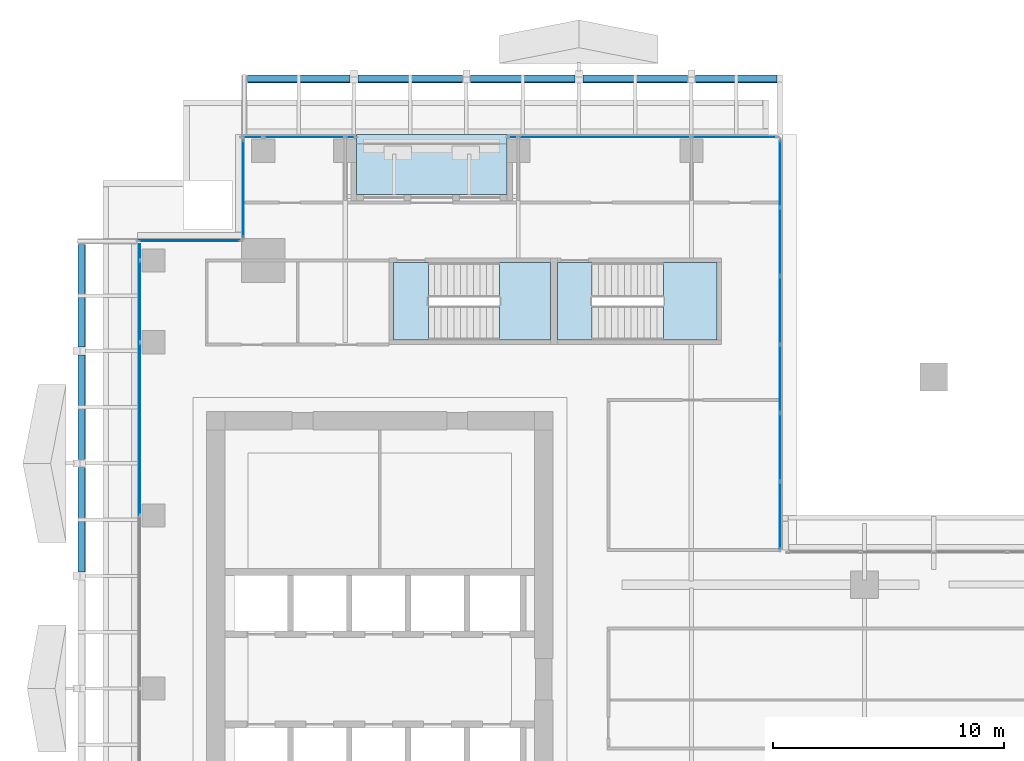
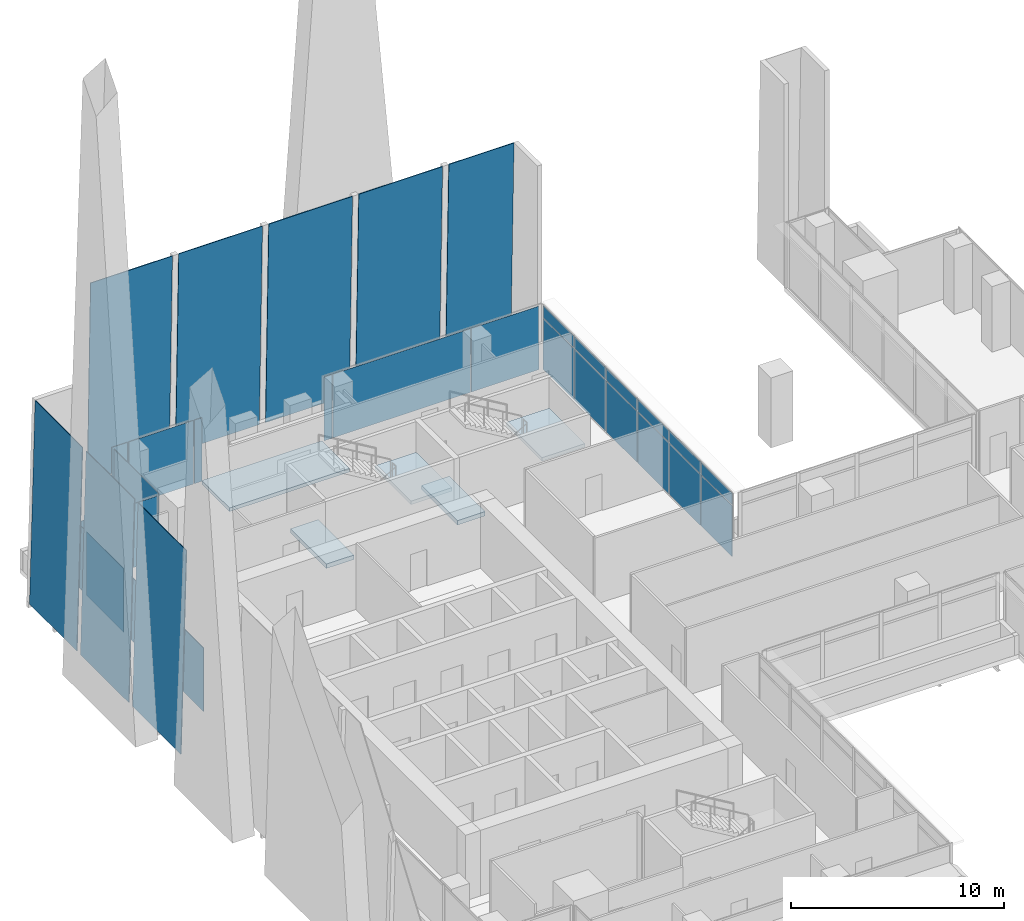
# One storey, part 32 of 43: 31 plates, 5 slabs, 8 elements without a shape of their own.
"""IFC4 building model written with IfcOpenShell, lengths in metres."""

from ifc_helpers import new_model, si_unit, direction, frame, origin, origin_2d, place, context, subcontext, project, spatial, polyline, rectangle, outline, extrude, source, transform, mapped, material, layer, layer_set, type_object, element, aggregate, save


model = new_model("IFC4")

# Units and contexts
model_context = context("Model", 3, precision=1e-05, world=origin(), true_north=direction((0.0, 1.0)))
body_context = subcontext(model_context, "Body", "Model", "MODEL_VIEW")
ifc_project = project(units=[si_unit("LENGTHUNIT", "METRE"), si_unit("AREAUNIT", "SQUARE_METRE"), si_unit("VOLUMEUNIT", "CUBIC_METRE"), si_unit("PLANEANGLEUNIT", "RADIAN"), si_unit("MASSUNIT", "GRAM", prefix="KILO")], contexts=[model_context])

# Site, building, storey
site_placement = place(None, origin())
site = spatial("IfcSite", under=ifc_project, at=site_placement, CompositionType="ELEMENT")
building_placement = place(site_placement, origin())
building = spatial("IfcBuilding", under=site, at=building_placement, Name="Khomas Fold Tower", CompositionType="ELEMENT")
storey_placement = place(building_placement, frame((0.0, 0.0, 164.699951171875)))
storey = spatial("IfcBuildingStorey", under=building, at=storey_placement, Name="L35", CompositionType="ELEMENT", Elevation=164.699951171875)

# Plates
ifc_material_1 = material(Name="Clear laminated glass", Category="glass")
ifc_layer_1 = layer(ifc_material_1, 0.0400390625)
ifc_layer_set_1 = layer_set([ifc_layer_1], Name="Clear laminated glass")
plate_type_1 = type_object("IfcPlateType", Name="SK-Clear laminated glass leaf", PredefinedType="SHEET", material=ifc_layer_set_1)
plate_1_placement = place(storey_placement, frame((7.77001953125, 53.5849609375, 0.0009765625), z_axis=(0.0, 0.999657230839, 0.026180543005), x_axis=(1.0, 0.0, 0.0)))
element("IfcPlate", 1, at=plate_1_placement, inside=storey, type_object=plate_type_1, Name="OUTER SKIN glass L35 N1", PredefinedType="SHEET", context=body_context, shape_type="SweptSolid", body=[
    extrude(outline(polyline([(0.0, 0.0), (4.43505859375, 0.0), (4.43505859375, -11.554009186164079), (0.0, -11.554009186164079), (0.0, 0.0)])), origin(), (0.0, 0.0, -1.0), 0.0400390625),
])
for number, where, z_axis, x_axis, name in (
    (2, (12.544921875, 53.5849609375, 0.0009765625), (0.0, 0.999657230839, 0.026180543005), (1.0, 0.0, 0.0), "OUTER SKIN glass L35 N3"),
    (3, (17.419921875, 53.5849609375, 0.0009765625), (0.0, 0.999657230839, 0.026180543005), (1.0, 0.0, 0.0), "OUTER SKIN glass L35 N5"),
    (4, (22.294921875, 53.5849609375, 0.0009765625), (0.0, 0.999657230839, 0.026180543005), (1.0, 0.0, 0.0), "OUTER SKIN glass L35 N7"),
):
    element("IfcPlate", number, at=place(storey_placement, frame(where, z_axis=z_axis, x_axis=x_axis)), inside=storey, type_object=plate_type_1, Name=name, PredefinedType="SHEET", context=body_context, shape_type="SweptSolid", body=[
        extrude(outline(polyline([(0.0, 0.0), (4.53515625, 0.0), (4.53515625, -11.554009186164079), (0.0, -11.554009186164079), (0.0, 0.0)])), origin(), (0.0, 0.0, -1.0), 0.0400390625),
    ])
plate_2_placement = place(storey_placement, frame((27.169921875, 53.5849609375, 0.0009765625), z_axis=(0.0, 0.999657230839, 0.026180543005), x_axis=(1.0, 0.0, 0.0)))
element("IfcPlate", 5, at=plate_2_placement, inside=storey, type_object=plate_type_1, Name="OUTER SKIN glass L35 N9", PredefinedType="SHEET", context=body_context, shape_type="SweptSolid", body=[
    extrude(outline(polyline([(0.0, 0.0), (3.530029296875, 0.0), (3.530029296875, -11.554009186164079), (0.0, -11.554009186164079), (0.0, 0.0)])), origin(), (0.0, 0.0, -1.0), 0.0400390625),
])
for number, where, z_axis, x_axis, name in (
    (6, (0.4150390625, 32.044921875, 0.0009765625), (-0.999657230839, 0.0, 0.026180543005), (0.0, 1.0, 0.0), "OUTER SKIN glass L35 W11"),
    (7, (0.4150390625, 36.919921875, 0.0009765625), (-0.999657230839, 0.0, 0.026180543005), (0.0, 1.0, 0.0), "OUTER SKIN glass L35 W13"),
):
    element("IfcPlate", number, at=place(storey_placement, frame(where, z_axis=z_axis, x_axis=x_axis)), inside=storey, type_object=plate_type_1, Name=name, PredefinedType="SHEET", context=body_context, shape_type="SweptSolid", body=[
        extrude(outline(polyline([(0.0, 0.0), (4.53515625, 0.0), (4.53515625, -11.554009186164079), (0.0, -11.554009186164079), (0.0, 0.0)])), origin(), (0.0, 0.0, -1.0), 0.0400390625),
    ])
plate_3_placement = place(storey_placement, frame((0.4150390625, 41.794921875, 0.0009765625), z_axis=(-0.999657230839, 0.0, 0.026180543005), x_axis=(0.0, 1.0, 0.0)))
element("IfcPlate", 8, at=plate_3_placement, inside=storey, type_object=plate_type_1, Name="OUTER SKIN glass L35 W15", PredefinedType="SHEET", context=body_context, shape_type="SweptSolid", body=[
    extrude(outline(polyline([(0.0, 0.0), (4.43505859375, 0.0), (4.43505859375, -11.554009186164079), (0.0, -11.554009186164079), (0.0, 0.0)])), origin(), (0.0, 0.0, -1.0), 0.0400390625),
])

# Curtain wall, plate
ifc_material_2 = material(Name="Aluminium framed double glazing", Category="aluminium")
curtain_wall_type_1 = type_object("IfcCurtainWallType", Name="SK-Unitised clear-glass wall, office floors CW2", PredefinedType="NOTDEFINED", material=ifc_material_2)
curtain_wall_1_placement = place(storey_placement, origin())
curtain_wall_1 = element("IfcCurtainWall", 9, at=curtain_wall_1_placement, inside=storey, type_object=curtain_wall_type_1, Name="CW2 corner return L35 17", PredefinedType="NOTDEFINED")
ifc_material_3 = material(Name="Clear double glazed unit")
ifc_layer_2 = layer(ifc_material_3, 0.030029296875)
ifc_layer_set_2 = layer_set([ifc_layer_2], Name="Clear double glazed unit")
plate_type_2 = type_object("IfcPlateType", Name="SK-Unitised clear-glass wall, office floors glass panel CW2-P", PredefinedType="CURTAIN_PANEL", material=ifc_layer_set_2)
shared_shape_1 = source(origin(), body_context, "Body", "SweptSolid", [
    extrude(rectangle(XDim=4.3798828125, YDim=0.030029296875, at=origin_2d()), origin(), (0.0, 0.0, 1.0), 3.639892578125),
])
plate_4_placement = place(storey_placement, frame((5.25, 46.39990234375, 0.0), z_axis=(0.0, 0.0, 1.0), x_axis=(-1.0, 0.0, 0.0)))
plate_4 = element("IfcPlate", 10, at=plate_4_placement, type_object=plate_type_2, Name="CW2 glass panel 1", PredefinedType="CURTAIN_PANEL", context=body_context, shape_type="MappedRepresentation", body=[
    mapped(shared_shape_1, transform((0.0, 0.0, 0.0))),
])
aggregate(curtain_wall_1, [plate_4])

curtain_wall_2_placement = place(storey_placement, origin())
curtain_wall_2 = element("IfcCurtainWall", 11, at=curtain_wall_2_placement, inside=storey, type_object=curtain_wall_type_1, Name="CW2 run L35 18-0", PredefinedType="NOTDEFINED")
shared_shape_2 = source(origin(), body_context, "Body", "SweptSolid", [
    extrude(rectangle(XDim=0.659912109375, YDim=0.030029296875, at=origin_2d()), origin(), (0.0, 0.0, 1.0), 3.639892578125),
])
plate_5_placement = place(storey_placement, frame((3.10009765625, 45.909912109375, 0.0), z_axis=(0.0, 0.0, 1.0), x_axis=(0.0, -1.0, 0.0)))
plate_5 = element("IfcPlate", 12, at=plate_5_placement, type_object=plate_type_2, Name="CW2 glass panel 1", PredefinedType="CURTAIN_PANEL", context=body_context, shape_type="MappedRepresentation", body=[
    mapped(shared_shape_2, transform((0.0, 0.0, 0.0))),
])

curtain_wall_3_placement = place(storey_placement, origin())
curtain_wall_3 = element("IfcCurtainWall", 13, at=curtain_wall_3_placement, inside=storey, type_object=curtain_wall_type_1, Name="CW2 run L35 15-1", PredefinedType="NOTDEFINED")
shared_shape_3 = source(origin(), body_context, "Body", "SweptSolid", [
    extrude(rectangle(XDim=3.489990234375, YDim=0.030029296875, at=origin_2d()), origin(), (0.0, 0.0, 1.0), 3.639892578125),
])
plate_6_placement = place(storey_placement, frame((10.22509765625, 50.89990234375, 0.0), z_axis=(0.0, 0.0, 1.0), x_axis=(-1.0, 0.0, 0.0)))
plate_6 = element("IfcPlate", 14, at=plate_6_placement, type_object=plate_type_2, Name="CW2 glass panel 2", PredefinedType="CURTAIN_PANEL", context=body_context, shape_type="MappedRepresentation", body=[
    mapped(shared_shape_3, transform((0.0, 0.0, 0.0))),
])

# Plate
plate_7_placement = place(storey_placement, frame((3.10009765625, 43.77490234375, 0.0), z_axis=(0.0, 0.0, 1.0), x_axis=(0.0, -1.0, 0.0)))
plate_7 = element("IfcPlate", 15, at=plate_7_placement, type_object=plate_type_2, Name="CW2 glass panel 2", PredefinedType="CURTAIN_PANEL", context=body_context, shape_type="MappedRepresentation", body=[
    mapped(shared_shape_3, transform((0.0, 0.0, 0.0))),
])

# Curtain wall, plate
curtain_wall_4_placement = place(storey_placement, origin())
curtain_wall_4 = element("IfcCurtainWall", 16, at=curtain_wall_4_placement, inside=storey, type_object=curtain_wall_type_1, Name="CW2 run L35 15-0", PredefinedType="NOTDEFINED")
shared_shape_4 = source(origin(), body_context, "Body", "SweptSolid", [
    extrude(rectangle(XDim=7.43994140625, YDim=0.030029296875, at=origin_2d()), origin(), (0.0, 0.0, 1.0), 3.639892578125),
])
plate_8_placement = place(storey_placement, frame((23.25, 50.89990234375, 0.0), z_axis=(0.0, 0.0, 1.0), x_axis=(-1.0, 0.0, 0.0)))
plate_8 = element("IfcPlate", 17, at=plate_8_placement, type_object=plate_type_2, Name="CW2 glass panel 2", PredefinedType="CURTAIN_PANEL", context=body_context, shape_type="MappedRepresentation", body=[
    mapped(shared_shape_4, transform((0.0, 0.0, 0.0))),
])

# Plate
plate_9_placement = place(storey_placement, frame((3.10009765625, 38.25, 0.0), z_axis=(0.0, 0.0, 1.0), x_axis=(0.0, -1.0, 0.0)))
plate_9 = element("IfcPlate", 18, at=plate_9_placement, type_object=plate_type_2, Name="CW2 glass panel 3", PredefinedType="CURTAIN_PANEL", context=body_context, shape_type="MappedRepresentation", body=[
    mapped(shared_shape_4, transform((0.0, 0.0, 0.0))),
])

aggregate(curtain_wall_2, [plate_5, plate_7, plate_9])

# Curtain wall, plate
curtain_wall_5_placement = place(storey_placement, origin())
curtain_wall_5 = element("IfcCurtainWall", 19, at=curtain_wall_5_placement, inside=storey, type_object=curtain_wall_type_1, Name="CW2 corner return L35 16", PredefinedType="NOTDEFINED")
shared_shape_5 = source(origin(), body_context, "Body", "SweptSolid", [
    extrude(rectangle(XDim=4.179931640625, YDim=0.030029296875, at=origin_2d()), origin(), (0.0, 0.0, 1.0), 3.639892578125),
])
plate_10_placement = place(storey_placement, frame((7.60009765625, 48.64990234375, 0.0), z_axis=(0.0, 0.0, 1.0), x_axis=(0.0, -1.0, 0.0)))
plate_10 = element("IfcPlate", 20, at=plate_10_placement, type_object=plate_type_2, Name="CW2 glass panel 1", PredefinedType="CURTAIN_PANEL", context=body_context, shape_type="MappedRepresentation", body=[
    mapped(shared_shape_5, transform((0.0, 0.0, 0.0))),
])
aggregate(curtain_wall_5, [plate_10])

# Plate
shared_shape_6 = source(origin(), body_context, "Body", "SweptSolid", [
    extrude(rectangle(XDim=0.409912109375, YDim=0.030029296875, at=origin_2d()), origin(), (0.0, 0.0, 1.0), 3.639892578125),
])
plate_11_placement = place(storey_placement, frame((19.264892578125, 50.89990234375, 0.0), z_axis=(0.0, 0.0, 1.0), x_axis=(-1.0, 0.0, 0.0)))
plate_11 = element("IfcPlate", 21, at=plate_11_placement, type_object=plate_type_2, Name="CW2 glass panel 3", PredefinedType="CURTAIN_PANEL", context=body_context, shape_type="MappedRepresentation", body=[
    mapped(shared_shape_6, transform((0.0, 0.0, 0.0))),
])

plate_12_placement = place(storey_placement, frame((12.235107421875, 50.89990234375, 0.0), z_axis=(0.0, 0.0, 1.0), x_axis=(-1.0, 0.0, 0.0)))
plate_12 = element("IfcPlate", 22, at=plate_12_placement, type_object=plate_type_2, Name="CW2 glass panel 1", PredefinedType="CURTAIN_PANEL", context=body_context, shape_type="MappedRepresentation", body=[
    mapped(shared_shape_6, transform((0.0, 0.0, 0.0))),
])

shared_shape_7 = source(origin(), body_context, "Body", "SweptSolid", [
    extrude(rectangle(XDim=0.860107421875, YDim=0.030029296875, at=origin_2d()), origin(), (0.0, 0.0, 1.0), 3.639892578125),
])
plate_13_placement = place(storey_placement, frame((7.989990234375, 50.89990234375, 0.0), z_axis=(0.0, 0.0, 1.0), x_axis=(-1.0, 0.0, 0.0)))
plate_13 = element("IfcPlate", 23, at=plate_13_placement, type_object=plate_type_2, Name="CW2 glass panel 3", PredefinedType="CURTAIN_PANEL", context=body_context, shape_type="MappedRepresentation", body=[
    mapped(shared_shape_7, transform((0.0, 0.0, 0.0))),
])

aggregate(curtain_wall_3, [plate_12, plate_6, plate_13])

shared_shape_8 = source(origin(), body_context, "Body", "SweptSolid", [
    extrude(rectangle(XDim=3.659912109375, YDim=0.030029296875, at=origin_2d()), origin(), (0.0, 0.0, 1.0), 3.639892578125),
])
plate_14_placement = place(storey_placement, frame((28.860107421875, 50.89990234375, 0.0), z_axis=(0.0, 0.0, 1.0), x_axis=(-1.0, 0.0, 0.0)))
plate_14 = element("IfcPlate", 24, at=plate_14_placement, type_object=plate_type_2, Name="CW2 glass panel 1", PredefinedType="CURTAIN_PANEL", context=body_context, shape_type="MappedRepresentation", body=[
    mapped(shared_shape_8, transform((0.0, 0.0, 0.0))),
])

aggregate(curtain_wall_4, [plate_14, plate_8, plate_11])

# Slab
ifc_material_4 = material(Name="Concrete C40/50", Category="concrete")
ifc_layer_3 = layer(ifc_material_4, 0.205078125)
ifc_layer_set_3 = layer_set([ifc_layer_3], Name="Concrete C40/50")
slab_type_1 = type_object("IfcSlabType", Name="BL-Balcony deck 205", PredefinedType="FLOOR", material=ifc_layer_set_3)
shared_shape_9 = source(origin(), body_context, "Body", "SweptSolid", [
    extrude(outline(polyline([(12.5, 48.39990234375), (19.0, 48.39990234375), (19.0, 51.0), (12.5, 51.0), (12.5, 48.39990234375)])), origin(), (0.0, 0.0, 1.0), 0.205078125),
])
slab_1_placement = place(storey_placement, frame((0.0, 0.0, -0.25)))
element("IfcSlab", 25, at=slab_1_placement, inside=storey, type_object=slab_type_1, Name="Balcony deck BAL-L35-N1", PredefinedType="FLOOR", context=body_context, shape_type="MappedRepresentation", body=[
    mapped(shared_shape_9, transform((0.0, 0.0, 0.0))),
])

# Curtain wall, plates
ifc_material_5 = material(Name="Aluminium framed double glazing", Category="aluminium")
curtain_wall_type_2 = type_object("IfcCurtainWallType", Name="Notch glazing GN-CW", PredefinedType="NOTDEFINED", material=ifc_material_5)
curtain_wall_6_placement = place(storey_placement, origin())
curtain_wall_6 = element("IfcCurtainWall", 26, at=curtain_wall_6_placement, inside=storey, type_object=curtain_wall_type_2, Name="Notch glazing run", PredefinedType="NOTDEFINED")
ifc_material_6 = material(Name="Double glazed unit")
ifc_layer_4 = layer(ifc_material_6, 0.031982421875)
ifc_layer_set_4 = layer_set([ifc_layer_4], Name="Double glazed unit")
plate_type_3 = type_object("IfcPlateType", Name="Notch glazing panel GN-CW-P", PredefinedType="CURTAIN_PANEL", material=ifc_layer_set_4)
shared_shape_10 = source(origin(), body_context, "Body", "SweptSolid", [
    extrude(rectangle(XDim=2.876708984375, YDim=0.031982421875, at=origin_2d()), origin(), (0.0, 0.0, 1.0), 2.909912109375),
])
plate_15_placement = place(storey_placement, frame((30.85009765625, 34.498291015625, 0.06005859375), z_axis=(0.0, 0.0, 1.0), x_axis=(0.0, 1.0, 0.0)))
plate_15 = element("IfcPlate", 27, at=plate_15_placement, type_object=plate_type_3, Name="GN-CW panel 1.1", PredefinedType="CURTAIN_PANEL", context=body_context, shape_type="MappedRepresentation", body=[
    mapped(shared_shape_10, transform((0.0, 0.0, 0.0))),
])
plate_16_placement = place(storey_placement, frame((30.85009765625, 49.3017578125, 0.06005859375), z_axis=(0.0, 0.0, 1.0), x_axis=(0.0, 1.0, 0.0)))
plate_16 = element("IfcPlate", 28, at=plate_16_placement, type_object=plate_type_3, Name="GN-CW panel 6.1", PredefinedType="CURTAIN_PANEL", context=body_context, shape_type="MappedRepresentation", body=[
    mapped(shared_shape_10, transform((0.0, 0.0, 0.0))),
])
shared_shape_11 = source(origin(), body_context, "Body", "SweptSolid", [
    extrude(rectangle(XDim=2.90673828125, YDim=0.031982421875, at=origin_2d()), origin(), (0.0, 0.0, 1.0), 2.909912109375),
])
plate_17_placement = place(storey_placement, frame((30.85009765625, 37.449951171875, 0.06005859375), z_axis=(0.0, 0.0, 1.0), x_axis=(0.0, 1.0, 0.0)))
plate_17 = element("IfcPlate", 29, at=plate_17_placement, type_object=plate_type_3, Name="GN-CW panel 2.1", PredefinedType="CURTAIN_PANEL", context=body_context, shape_type="MappedRepresentation", body=[
    mapped(shared_shape_11, transform((0.0, 0.0, 0.0))),
])
plate_18_placement = place(storey_placement, frame((30.85009765625, 40.416748046875, 0.06005859375), z_axis=(0.0, 0.0, 1.0), x_axis=(0.0, 1.0, 0.0)))
plate_18 = element("IfcPlate", 30, at=plate_18_placement, type_object=plate_type_3, Name="GN-CW panel 3.1", PredefinedType="CURTAIN_PANEL", context=body_context, shape_type="MappedRepresentation", body=[
    mapped(shared_shape_11, transform((0.0, 0.0, 0.0))),
])
plate_19_placement = place(storey_placement, frame((30.85009765625, 43.38330078125, 0.06005859375), z_axis=(0.0, 0.0, 1.0), x_axis=(0.0, 1.0, 0.0)))
plate_19 = element("IfcPlate", 31, at=plate_19_placement, type_object=plate_type_3, Name="GN-CW panel 4.1", PredefinedType="CURTAIN_PANEL", context=body_context, shape_type="MappedRepresentation", body=[
    mapped(shared_shape_11, transform((0.0, 0.0, 0.0))),
])
plate_20_placement = place(storey_placement, frame((30.85009765625, 46.35009765625, 0.06005859375), z_axis=(0.0, 0.0, 1.0), x_axis=(0.0, 1.0, 0.0)))
plate_20 = element("IfcPlate", 32, at=plate_20_placement, type_object=plate_type_3, Name="GN-CW panel 5.1", PredefinedType="CURTAIN_PANEL", context=body_context, shape_type="MappedRepresentation", body=[
    mapped(shared_shape_11, transform((0.0, 0.0, 0.0))),
])
shared_shape_12 = source(origin(), body_context, "Body", "SweptSolid", [
    extrude(rectangle(XDim=2.876708984375, YDim=0.031982421875, at=origin_2d()), origin(), (0.0, 0.0, 1.0), 0.659912109375),
])
plate_21_placement = place(storey_placement, frame((30.85009765625, 34.498291015625, 3.0302734375), z_axis=(0.0, 0.0, 1.0), x_axis=(0.0, 1.0, 0.0)))
plate_21 = element("IfcPlate", 33, at=plate_21_placement, type_object=plate_type_3, Name="GN-CW panel 1.2", PredefinedType="CURTAIN_PANEL", context=body_context, shape_type="MappedRepresentation", body=[
    mapped(shared_shape_12, transform((0.0, 0.0, 0.0))),
])
plate_22_placement = place(storey_placement, frame((30.85009765625, 49.3017578125, 3.0302734375), z_axis=(0.0, 0.0, 1.0), x_axis=(0.0, 1.0, 0.0)))
plate_22 = element("IfcPlate", 34, at=plate_22_placement, type_object=plate_type_3, Name="GN-CW panel 6.2", PredefinedType="CURTAIN_PANEL", context=body_context, shape_type="MappedRepresentation", body=[
    mapped(shared_shape_12, transform((0.0, 0.0, 0.0))),
])
shared_shape_13 = source(origin(), body_context, "Body", "SweptSolid", [
    extrude(rectangle(XDim=2.90673828125, YDim=0.031982421875, at=origin_2d()), origin(), (0.0, 0.0, 1.0), 0.659912109375),
])
plate_23_placement = place(storey_placement, frame((30.85009765625, 37.449951171875, 3.0302734375), z_axis=(0.0, 0.0, 1.0), x_axis=(0.0, 1.0, 0.0)))
plate_23 = element("IfcPlate", 35, at=plate_23_placement, type_object=plate_type_3, Name="GN-CW panel 2.2", PredefinedType="CURTAIN_PANEL", context=body_context, shape_type="MappedRepresentation", body=[
    mapped(shared_shape_13, transform((0.0, 0.0, 0.0))),
])
plate_24_placement = place(storey_placement, frame((30.85009765625, 40.416748046875, 3.0302734375), z_axis=(0.0, 0.0, 1.0), x_axis=(0.0, 1.0, 0.0)))
plate_24 = element("IfcPlate", 36, at=plate_24_placement, type_object=plate_type_3, Name="GN-CW panel 3.2", PredefinedType="CURTAIN_PANEL", context=body_context, shape_type="MappedRepresentation", body=[
    mapped(shared_shape_13, transform((0.0, 0.0, 0.0))),
])
plate_25_placement = place(storey_placement, frame((30.85009765625, 43.38330078125, 3.0302734375), z_axis=(0.0, 0.0, 1.0), x_axis=(0.0, 1.0, 0.0)))
plate_25 = element("IfcPlate", 37, at=plate_25_placement, type_object=plate_type_3, Name="GN-CW panel 4.2", PredefinedType="CURTAIN_PANEL", context=body_context, shape_type="MappedRepresentation", body=[
    mapped(shared_shape_13, transform((0.0, 0.0, 0.0))),
])
plate_26_placement = place(storey_placement, frame((30.85009765625, 46.35009765625, 3.0302734375), z_axis=(0.0, 0.0, 1.0), x_axis=(0.0, 1.0, 0.0)))
plate_26 = element("IfcPlate", 38, at=plate_26_placement, type_object=plate_type_3, Name="GN-CW panel 5.2", PredefinedType="CURTAIN_PANEL", context=body_context, shape_type="MappedRepresentation", body=[
    mapped(shared_shape_13, transform((0.0, 0.0, 0.0))),
])
aggregate(curtain_wall_6, [plate_15, plate_21, plate_17, plate_23, plate_18, plate_24, plate_19, plate_25, plate_20, plate_26, plate_16, plate_22])

# Stair, slab
ifc_material_7 = material(Name="Concrete C40/50", Category="concrete")
stair_type_1 = type_object("IfcStairType", Name="Stair ST1", PredefinedType="HALF_TURN_STAIR", material=ifc_material_7)
stair_1_placement = place(storey_placement, origin())
stair_1 = element("IfcStair", 39, at=stair_1_placement, inside=storey, type_object=stair_type_1, Name="L35 ST1", PredefinedType="HALF_TURN_STAIR")
ifc_material_8 = material(Name="Concrete C40/50", Category="concrete")
ifc_layer_5 = layer(ifc_material_8, 0.199951171875)
ifc_layer_set_5 = layer_set([ifc_layer_5], Name="Concrete C40/50")
slab_type_2 = type_object("IfcSlabType", Name="Stair landing 200", PredefinedType="LANDING", material=ifc_layer_set_5)
shared_shape_14 = source(origin(), body_context, "Body", "SweptSolid", [
    extrude(outline(polyline([(18.679931640625, 42.10009765625), (20.89990234375, 42.10009765625), (20.89990234375, 45.449951171875), (18.679931640625, 45.449951171875), (18.679931640625, 42.10009765625)])), origin(), (0.0, 0.0, 1.0), 0.199951171875),
])
slab_2_placement = place(storey_placement, frame((0.0, 0.0, 1.800048828125)))
slab_2 = element("IfcSlab", 40, at=slab_2_placement, type_object=slab_type_2, Name="ST1 landing 1", PredefinedType="LANDING", context=body_context, shape_type="MappedRepresentation", body=[
    mapped(shared_shape_14, transform((0.0, 0.0, 0.0))),
])
aggregate(stair_1, [slab_2])

# Slab
ifc_material_9 = material(Name="Concrete C40/50", Category="concrete")
ifc_layer_6 = layer(ifc_material_9, 0.25)
ifc_layer_set_6 = layer_set([ifc_layer_6], Name="Concrete C40/50")
slab_type_3 = type_object("IfcSlabType", Name="Stair floor landing 250", PredefinedType="LANDING", material=ifc_layer_set_6)
shared_shape_15 = source(origin(), body_context, "Body", "SweptSolid", [
    extrude(outline(polyline([(14.10009765625, 45.449951171875), (15.60009765625, 45.449951171875), (15.60009765625, 42.10009765625), (14.10009765625, 42.10009765625), (14.10009765625, 45.449951171875)])), origin(), (0.0, 0.0, 1.0), 0.25),
])
slab_3_placement = place(storey_placement, frame((0.0, 0.0, -0.25)))
element("IfcSlab", 41, at=slab_3_placement, inside=storey, type_object=slab_type_3, Name="ST1 floor landing", PredefinedType="LANDING", context=body_context, shape_type="MappedRepresentation", body=[
    mapped(shared_shape_15, transform((0.0, 0.0, 0.0))),
])

# Stair, slab
ifc_material_10 = material(Name="Concrete C40/50", Category="concrete")
stair_type_2 = type_object("IfcStairType", Name="Stair ST3", PredefinedType="HALF_TURN_STAIR", material=ifc_material_10)
stair_2_placement = place(storey_placement, origin())
stair_2 = element("IfcStair", 42, at=stair_2_placement, inside=storey, type_object=stair_type_2, Name="L35 ST3", PredefinedType="HALF_TURN_STAIR")
shared_shape_16 = source(origin(), body_context, "Body", "SweptSolid", [
    extrude(outline(polyline([(25.780029296875, 42.10009765625), (28.10009765625, 42.10009765625), (28.10009765625, 45.449951171875), (25.780029296875, 45.449951171875), (25.780029296875, 42.10009765625)])), origin(), (0.0, 0.0, 1.0), 0.199951171875),
])
slab_4_placement = place(storey_placement, frame((0.0, 0.0, 1.800048828125)))
slab_4 = element("IfcSlab", 43, at=slab_4_placement, type_object=slab_type_2, Name="ST3 landing 1", PredefinedType="LANDING", context=body_context, shape_type="MappedRepresentation", body=[
    mapped(shared_shape_16, transform((0.0, 0.0, 0.0))),
])
aggregate(stair_2, [slab_4])

# Slab
shared_shape_17 = source(origin(), body_context, "Body", "SweptSolid", [
    extrude(outline(polyline([(21.199951171875, 45.449951171875), (22.699951171875, 45.449951171875), (22.699951171875, 42.10009765625), (21.199951171875, 42.10009765625), (21.199951171875, 45.449951171875)])), origin(), (0.0, 0.0, 1.0), 0.25),
])
slab_5_placement = place(storey_placement, frame((0.0, 0.0, -0.25)))
element("IfcSlab", 44, at=slab_5_placement, inside=storey, type_object=slab_type_3, Name="ST3 floor landing", PredefinedType="LANDING", context=body_context, shape_type="MappedRepresentation", body=[
    mapped(shared_shape_17, transform((0.0, 0.0, 0.0))),
])

save(model, "model.ifc")
